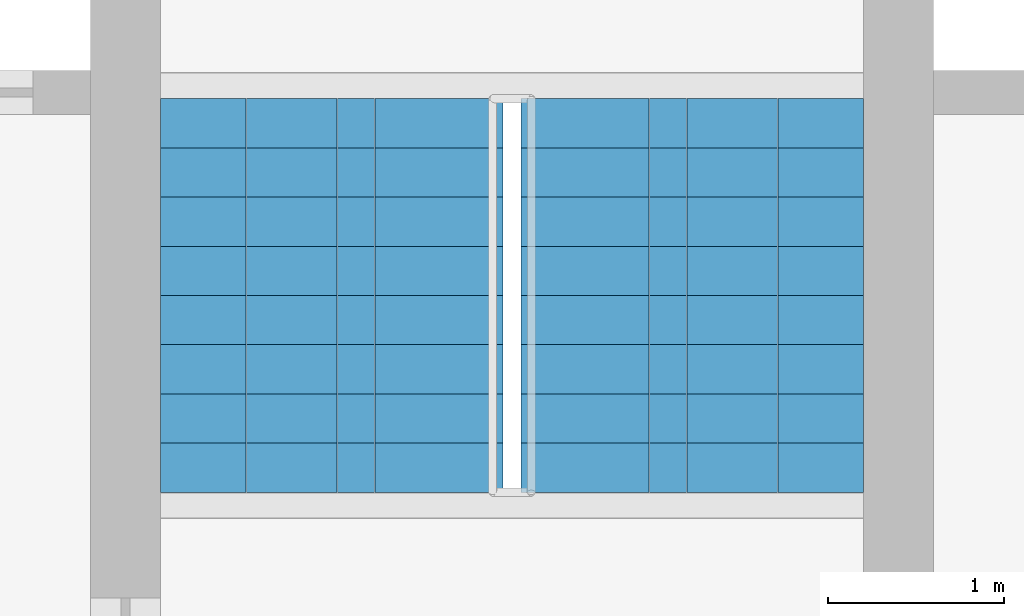
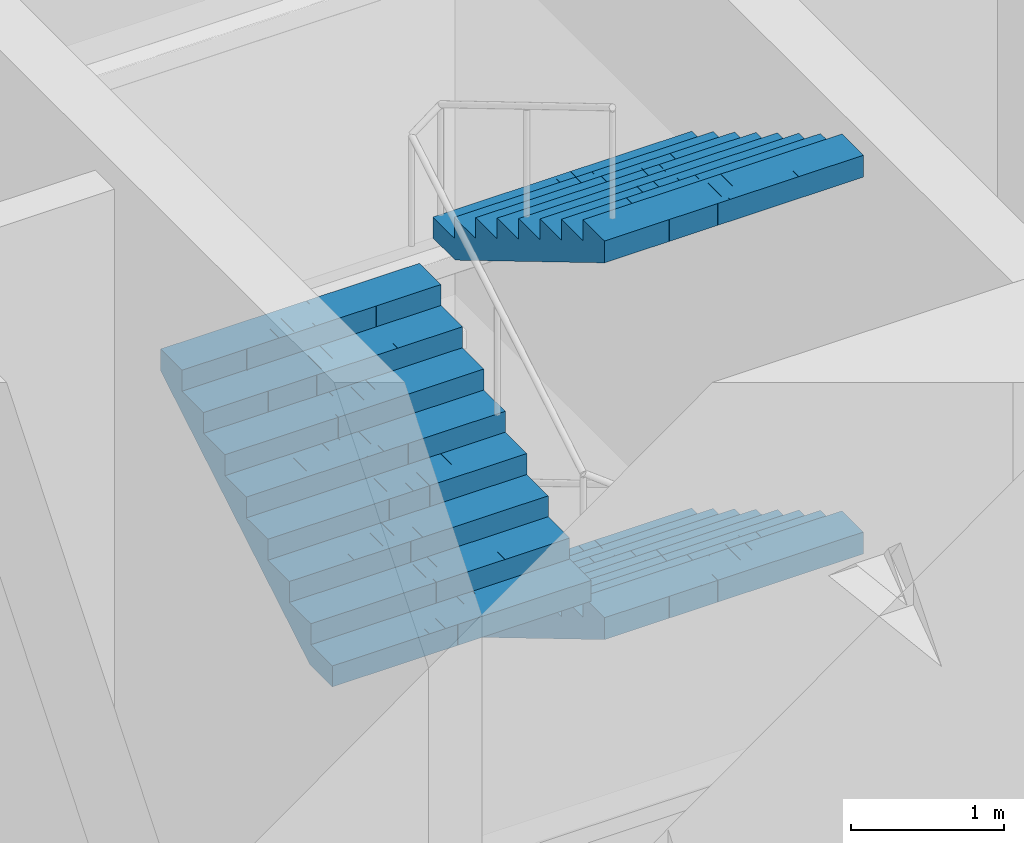
# One storey, part 16 of 19: 3 stair flights, 1 element without a shape of its own.
"""IFC4 building model written with IfcOpenShell, lengths in metres."""

from ifc_helpers import new_model, si_unit, direction, frame, origin, place, context, subcontext, project, spatial, polyline, outline, extrude, material, type_object, element, aggregate, save


model = new_model("IFC4")

# Units and contexts
model_context = context("Model", 3, precision=1e-05, world=origin(), true_north=direction((0.0, 1.0)))
body_context = subcontext(model_context, "Body", "Model", "MODEL_VIEW")
ifc_project = project(units=[si_unit("LENGTHUNIT", "METRE"), si_unit("AREAUNIT", "SQUARE_METRE"), si_unit("VOLUMEUNIT", "CUBIC_METRE"), si_unit("PLANEANGLEUNIT", "RADIAN"), si_unit("MASSUNIT", "GRAM", prefix="KILO")], contexts=[model_context])

# Site, building, storey
site_placement = place(None, origin())
site = spatial("IfcSite", under=ifc_project, at=site_placement, CompositionType="ELEMENT")
building_placement = place(site_placement, origin())
building = spatial("IfcBuilding", under=site, at=building_placement, Name="Mizan Broadcast Tower", CompositionType="ELEMENT")
storey_placement = place(building_placement, frame((0.0, 0.0, 37.5)))
storey = spatial("IfcBuildingStorey", under=building, at=storey_placement, Name="L06", CompositionType="ELEMENT", Elevation=37.5)

# Stair, stair flights
ifc_material_1 = material(Name="Concrete C40/50", Category="concrete")
stair_type = type_object("IfcStairType", Name="EXIT STAIR", PredefinedType="HALF_TURN_STAIR", material=ifc_material_1)
stair_placement = place(storey_placement, origin())
stair = element("IfcStair", 1, at=stair_placement, inside=storey, type_object=stair_type, Name="Stair A L06", PredefinedType="HALF_TURN_STAIR")
ifc_material_2 = material(Name="Concrete C40/50", Category="concrete")
stair_flight_type = type_object("IfcStairFlightType", Name="EXIT STAIR FLIGHT", PredefinedType="STRAIGHT", material=ifc_material_2)
stair_flight_1_placement = place(storey_placement, frame((1.02490234375, -5.659912109375, 1.5), z_axis=(0.0, 0.0, 1.0), x_axis=(0.0, -1.0, 0.0)))
stair_flight_1 = element("IfcStairFlight", 2, at=stair_flight_1_placement, type_object=stair_flight_type, Name="A flight 2", NumberOfRisers=9, NumberOfTreads=8, PredefinedType="STRAIGHT", RiserHeight=0.166666667, TreadLength=0.28, context=body_context, shape_type="SweptSolid", body=[
    extrude(outline(polyline([(0.0, 0.0), (0.0, 0.166748046875), (0.280029296875, 0.166748046875), (0.280029296875, 0.333251953125), (0.56005859375, 0.333251953125), (0.56005859375, 0.5), (0.840087890625, 0.5), (0.840087890625, 0.666748046875), (1.1201171875, 0.666748046875), (1.1201171875, 0.833251953125), (1.39990234375, 0.833251953125), (1.39990234375, 1.0), (1.679931640625, 1.0), (1.679931640625, 1.166748046875), (1.9599609375, 1.166748046875), (1.9599609375, 1.333251953125), (2.239990234375, 1.333251953125), (2.239990234375, 1.5), (2.239990234375, 1.158935546875), (0.29296875, 0.0), (0.0, 0.0)])), frame((0.0, 0.97509765625, 0.0), z_axis=(0.0, -1.0, 0.0), x_axis=(1.0, 0.0, 0.0)), (0.0, 0.0, 1.0), 0.4873046875),
    extrude(outline(polyline([(0.0, 0.0), (0.0, 0.166748046875), (0.280029296875, 0.166748046875), (0.280029296875, 0.333251953125), (0.56005859375, 0.333251953125), (0.56005859375, 0.5), (0.840087890625, 0.5), (0.840087890625, 0.666748046875), (1.1201171875, 0.666748046875), (1.1201171875, 0.833251953125), (1.39990234375, 0.833251953125), (1.39990234375, 1.0), (1.679931640625, 1.0), (1.679931640625, 1.166748046875), (1.9599609375, 1.166748046875), (1.9599609375, 1.333251953125), (2.239990234375, 1.333251953125), (2.239990234375, 1.5), (2.239990234375, 1.158935546875), (0.29296875, 0.0), (0.0, 0.0)])), frame((0.0, 0.4873046875, 0.0), z_axis=(0.0, -1.0, 0.0), x_axis=(1.0, 0.0, 0.0)), (0.0, 0.0, 1.0), 0.2431640625),
    extrude(outline(polyline([(0.0, 0.0), (0.0, 0.166748046875), (0.280029296875, 0.166748046875), (0.280029296875, 0.333251953125), (0.56005859375, 0.333251953125), (0.56005859375, 0.5), (0.840087890625, 0.5), (0.840087890625, 0.666748046875), (1.1201171875, 0.666748046875), (1.1201171875, 0.833251953125), (1.39990234375, 0.833251953125), (1.39990234375, 1.0), (1.679931640625, 1.0), (1.679931640625, 1.166748046875), (1.9599609375, 1.166748046875), (1.9599609375, 1.333251953125), (2.239990234375, 1.333251953125), (2.239990234375, 1.5), (2.239990234375, 1.158935546875), (0.29296875, 0.0), (0.0, 0.0)])), frame((0.0, 0.24365234375, 0.0), z_axis=(0.0, -1.0, 0.0), x_axis=(1.0, 0.0, 0.0)), (0.0, 0.0, 1.0), 0.121337890625),
    extrude(outline(polyline([(0.0, 0.0), (0.0, 0.166748046875), (0.280029296875, 0.166748046875), (0.280029296875, 0.333251953125), (0.56005859375, 0.333251953125), (0.56005859375, 0.5), (0.840087890625, 0.5), (0.840087890625, 0.666748046875), (1.1201171875, 0.666748046875), (1.1201171875, 0.833251953125), (1.39990234375, 0.833251953125), (1.39990234375, 1.0), (1.679931640625, 1.0), (1.679931640625, 1.166748046875), (1.9599609375, 1.166748046875), (1.9599609375, 1.333251953125), (2.239990234375, 1.333251953125), (2.239990234375, 1.5), (2.239990234375, 1.158935546875), (0.29296875, 0.0), (0.0, 0.0)])), frame((0.0, 0.121826171875, 0.0), z_axis=(0.0, -1.0, 0.0), x_axis=(1.0, 0.0, 0.0)), (0.0, 0.0, 1.0), 0.060546875),
    extrude(outline(polyline([(0.0, 0.0), (0.0, 0.166748046875), (0.280029296875, 0.166748046875), (0.280029296875, 0.333251953125), (0.56005859375, 0.333251953125), (0.56005859375, 0.5), (0.840087890625, 0.5), (0.840087890625, 0.666748046875), (1.1201171875, 0.666748046875), (1.1201171875, 0.833251953125), (1.39990234375, 0.833251953125), (1.39990234375, 1.0), (1.679931640625, 1.0), (1.679931640625, 1.166748046875), (1.9599609375, 1.166748046875), (1.9599609375, 1.333251953125), (2.239990234375, 1.333251953125), (2.239990234375, 1.5), (2.239990234375, 1.158935546875), (0.29296875, 0.0), (0.0, 0.0)])), frame((0.0, 0.060791015625, 0.0), z_axis=(0.0, -1.0, 0.0), x_axis=(1.0, 0.0, 0.0)), (0.0, 0.0, 1.0), 0.030029296875),
    extrude(outline(polyline([(0.0, 0.0), (0.0, 0.166748046875), (0.280029296875, 0.166748046875), (0.280029296875, 0.333251953125), (0.56005859375, 0.333251953125), (0.56005859375, 0.5), (0.840087890625, 0.5), (0.840087890625, 0.666748046875), (1.1201171875, 0.666748046875), (1.1201171875, 0.833251953125), (1.39990234375, 0.833251953125), (1.39990234375, 1.0), (1.679931640625, 1.0), (1.679931640625, 1.166748046875), (1.9599609375, 1.166748046875), (1.9599609375, 1.333251953125), (2.239990234375, 1.333251953125), (2.239990234375, 1.5), (2.239990234375, 1.158935546875), (0.29296875, 0.0), (0.0, 0.0)])), frame((0.0, 0.0302734375, 0.0), z_axis=(0.0, -1.0, 0.0), x_axis=(1.0, 0.0, 0.0)), (0.0, 0.0, 1.0), 0.060302734375),
    extrude(outline(polyline([(0.0, 0.0), (0.0, 0.166748046875), (0.280029296875, 0.166748046875), (0.280029296875, 0.333251953125), (0.56005859375, 0.333251953125), (0.56005859375, 0.5), (0.840087890625, 0.5), (0.840087890625, 0.666748046875), (1.1201171875, 0.666748046875), (1.1201171875, 0.833251953125), (1.39990234375, 0.833251953125), (1.39990234375, 1.0), (1.679931640625, 1.0), (1.679931640625, 1.166748046875), (1.9599609375, 1.166748046875), (1.9599609375, 1.333251953125), (2.239990234375, 1.333251953125), (2.239990234375, 1.5), (2.239990234375, 1.158935546875), (0.29296875, 0.0), (0.0, 0.0)])), frame((0.0, -0.030517578125, 0.0), z_axis=(0.0, -1.0, 0.0), x_axis=(1.0, 0.0, 0.0)), (0.0, 0.0, 1.0), 0.030029296875),
    extrude(outline(polyline([(0.0, 0.0), (0.0, 0.166748046875), (0.280029296875, 0.166748046875), (0.280029296875, 0.333251953125), (0.56005859375, 0.333251953125), (0.56005859375, 0.5), (0.840087890625, 0.5), (0.840087890625, 0.666748046875), (1.1201171875, 0.666748046875), (1.1201171875, 0.833251953125), (1.39990234375, 0.833251953125), (1.39990234375, 1.0), (1.679931640625, 1.0), (1.679931640625, 1.166748046875), (1.9599609375, 1.166748046875), (1.9599609375, 1.333251953125), (2.239990234375, 1.333251953125), (2.239990234375, 1.5), (2.239990234375, 1.158935546875), (0.29296875, 0.0), (0.0, 0.0)])), frame((0.0, -0.06103515625, 0.0), z_axis=(0.0, -1.0, 0.0), x_axis=(1.0, 0.0, 0.0)), (0.0, 0.0, 1.0), 0.060546875),
    extrude(outline(polyline([(0.0, 0.0), (0.0, 0.166748046875), (0.280029296875, 0.166748046875), (0.280029296875, 0.333251953125), (0.56005859375, 0.333251953125), (0.56005859375, 0.5), (0.840087890625, 0.5), (0.840087890625, 0.666748046875), (1.1201171875, 0.666748046875), (1.1201171875, 0.833251953125), (1.39990234375, 0.833251953125), (1.39990234375, 1.0), (1.679931640625, 1.0), (1.679931640625, 1.166748046875), (1.9599609375, 1.166748046875), (1.9599609375, 1.333251953125), (2.239990234375, 1.333251953125), (2.239990234375, 1.5), (2.239990234375, 1.158935546875), (0.29296875, 0.0), (0.0, 0.0)])), frame((0.0, -0.1220703125, 0.0), z_axis=(0.0, -1.0, 0.0), x_axis=(1.0, 0.0, 0.0)), (0.0, 0.0, 1.0), 0.121337890625),
    extrude(outline(polyline([(0.0, 0.0), (0.0, 0.166748046875), (0.280029296875, 0.166748046875), (0.280029296875, 0.333251953125), (0.56005859375, 0.333251953125), (0.56005859375, 0.5), (0.840087890625, 0.5), (0.840087890625, 0.666748046875), (1.1201171875, 0.666748046875), (1.1201171875, 0.833251953125), (1.39990234375, 0.833251953125), (1.39990234375, 1.0), (1.679931640625, 1.0), (1.679931640625, 1.166748046875), (1.9599609375, 1.166748046875), (1.9599609375, 1.333251953125), (2.239990234375, 1.333251953125), (2.239990234375, 1.5), (2.239990234375, 1.158935546875), (0.29296875, 0.0), (0.0, 0.0)])), frame((0.0, -0.243896484375, 0.0), z_axis=(0.0, -1.0, 0.0), x_axis=(1.0, 0.0, 0.0)), (0.0, 0.0, 1.0), 0.2431640625),
    extrude(outline(polyline([(0.0, 0.0), (0.0, 0.166748046875), (0.280029296875, 0.166748046875), (0.280029296875, 0.333251953125), (0.56005859375, 0.333251953125), (0.56005859375, 0.5), (0.840087890625, 0.5), (0.840087890625, 0.666748046875), (1.1201171875, 0.666748046875), (1.1201171875, 0.833251953125), (1.39990234375, 0.833251953125), (1.39990234375, 1.0), (1.679931640625, 1.0), (1.679931640625, 1.166748046875), (1.9599609375, 1.166748046875), (1.9599609375, 1.333251953125), (2.239990234375, 1.333251953125), (2.239990234375, 1.5), (2.239990234375, 1.158935546875), (0.29296875, 0.0), (0.0, 0.0)])), frame((0.0, -0.487548828125, 0.0), z_axis=(0.0, -1.0, 0.0), x_axis=(1.0, 0.0, 0.0)), (0.0, 0.0, 1.0), 0.4873046875),
])
stair_flight_2_placement = place(storey_placement, frame((-1.02490234375, -7.89990234375, 3.0), z_axis=(0.0, 0.0, 1.0), x_axis=(0.0, 1.0, 0.0)))
stair_flight_2 = element("IfcStairFlight", 3, at=stair_flight_2_placement, type_object=stair_flight_type, Name="A flight 3", NumberOfRisers=9, NumberOfTreads=8, PredefinedType="STRAIGHT", RiserHeight=0.166666667, TreadLength=0.28, context=body_context, shape_type="SweptSolid", body=[
    extrude(outline(polyline([(0.0, 0.0), (0.0, 0.166748046875), (0.280029296875, 0.166748046875), (0.280029296875, 0.333251953125), (0.56005859375, 0.333251953125), (0.56005859375, 0.5), (0.840087890625, 0.5), (0.840087890625, 0.666748046875), (1.1201171875, 0.666748046875), (1.1201171875, 0.833251953125), (1.39990234375, 0.833251953125), (1.39990234375, 1.0), (1.679931640625, 1.0), (1.679931640625, 1.166748046875), (1.9599609375, 1.166748046875), (1.9599609375, 1.333251953125), (2.239990234375, 1.333251953125), (2.239990234375, 1.5), (2.239990234375, 1.158935546875), (0.29296875, 0.0), (0.0, 0.0)])), frame((0.0, 0.97509765625, 0.0), z_axis=(0.0, -1.0, 0.0), x_axis=(1.0, 0.0, 0.0)), (0.0, 0.0, 1.0), 0.4873046875),
    extrude(outline(polyline([(0.0, 0.0), (0.0, 0.166748046875), (0.280029296875, 0.166748046875), (0.280029296875, 0.333251953125), (0.56005859375, 0.333251953125), (0.56005859375, 0.5), (0.840087890625, 0.5), (0.840087890625, 0.666748046875), (1.1201171875, 0.666748046875), (1.1201171875, 0.833251953125), (1.39990234375, 0.833251953125), (1.39990234375, 1.0), (1.679931640625, 1.0), (1.679931640625, 1.166748046875), (1.9599609375, 1.166748046875), (1.9599609375, 1.333251953125), (2.239990234375, 1.333251953125), (2.239990234375, 1.5), (2.239990234375, 1.158935546875), (0.29296875, 0.0), (0.0, 0.0)])), frame((0.0, 0.4873046875, 0.0), z_axis=(0.0, -1.0, 0.0), x_axis=(1.0, 0.0, 0.0)), (0.0, 0.0, 1.0), 0.2431640625),
    extrude(outline(polyline([(0.0, 0.0), (0.0, 0.166748046875), (0.280029296875, 0.166748046875), (0.280029296875, 0.333251953125), (0.56005859375, 0.333251953125), (0.56005859375, 0.5), (0.840087890625, 0.5), (0.840087890625, 0.666748046875), (1.1201171875, 0.666748046875), (1.1201171875, 0.833251953125), (1.39990234375, 0.833251953125), (1.39990234375, 1.0), (1.679931640625, 1.0), (1.679931640625, 1.166748046875), (1.9599609375, 1.166748046875), (1.9599609375, 1.333251953125), (2.239990234375, 1.333251953125), (2.239990234375, 1.5), (2.239990234375, 1.158935546875), (0.29296875, 0.0), (0.0, 0.0)])), frame((0.0, 0.24365234375, 0.0), z_axis=(0.0, -1.0, 0.0), x_axis=(1.0, 0.0, 0.0)), (0.0, 0.0, 1.0), 0.121337890625),
    extrude(outline(polyline([(0.0, 0.0), (0.0, 0.166748046875), (0.280029296875, 0.166748046875), (0.280029296875, 0.333251953125), (0.56005859375, 0.333251953125), (0.56005859375, 0.5), (0.840087890625, 0.5), (0.840087890625, 0.666748046875), (1.1201171875, 0.666748046875), (1.1201171875, 0.833251953125), (1.39990234375, 0.833251953125), (1.39990234375, 1.0), (1.679931640625, 1.0), (1.679931640625, 1.166748046875), (1.9599609375, 1.166748046875), (1.9599609375, 1.333251953125), (2.239990234375, 1.333251953125), (2.239990234375, 1.5), (2.239990234375, 1.158935546875), (0.29296875, 0.0), (0.0, 0.0)])), frame((0.0, 0.121826171875, 0.0), z_axis=(0.0, -1.0, 0.0), x_axis=(1.0, 0.0, 0.0)), (0.0, 0.0, 1.0), 0.060546875),
    extrude(outline(polyline([(0.0, 0.0), (0.0, 0.166748046875), (0.280029296875, 0.166748046875), (0.280029296875, 0.333251953125), (0.56005859375, 0.333251953125), (0.56005859375, 0.5), (0.840087890625, 0.5), (0.840087890625, 0.666748046875), (1.1201171875, 0.666748046875), (1.1201171875, 0.833251953125), (1.39990234375, 0.833251953125), (1.39990234375, 1.0), (1.679931640625, 1.0), (1.679931640625, 1.166748046875), (1.9599609375, 1.166748046875), (1.9599609375, 1.333251953125), (2.239990234375, 1.333251953125), (2.239990234375, 1.5), (2.239990234375, 1.158935546875), (0.29296875, 0.0), (0.0, 0.0)])), frame((0.0, 0.060791015625, 0.0), z_axis=(0.0, -1.0, 0.0), x_axis=(1.0, 0.0, 0.0)), (0.0, 0.0, 1.0), 0.030029296875),
    extrude(outline(polyline([(0.0, 0.0), (0.0, 0.166748046875), (0.280029296875, 0.166748046875), (0.280029296875, 0.333251953125), (0.56005859375, 0.333251953125), (0.56005859375, 0.5), (0.840087890625, 0.5), (0.840087890625, 0.666748046875), (1.1201171875, 0.666748046875), (1.1201171875, 0.833251953125), (1.39990234375, 0.833251953125), (1.39990234375, 1.0), (1.679931640625, 1.0), (1.679931640625, 1.166748046875), (1.9599609375, 1.166748046875), (1.9599609375, 1.333251953125), (2.239990234375, 1.333251953125), (2.239990234375, 1.5), (2.239990234375, 1.158935546875), (0.29296875, 0.0), (0.0, 0.0)])), frame((0.0, 0.0302734375, 0.0), z_axis=(0.0, -1.0, 0.0), x_axis=(1.0, 0.0, 0.0)), (0.0, 0.0, 1.0), 0.060302734375),
    extrude(outline(polyline([(0.0, 0.0), (0.0, 0.166748046875), (0.280029296875, 0.166748046875), (0.280029296875, 0.333251953125), (0.56005859375, 0.333251953125), (0.56005859375, 0.5), (0.840087890625, 0.5), (0.840087890625, 0.666748046875), (1.1201171875, 0.666748046875), (1.1201171875, 0.833251953125), (1.39990234375, 0.833251953125), (1.39990234375, 1.0), (1.679931640625, 1.0), (1.679931640625, 1.166748046875), (1.9599609375, 1.166748046875), (1.9599609375, 1.333251953125), (2.239990234375, 1.333251953125), (2.239990234375, 1.5), (2.239990234375, 1.158935546875), (0.29296875, 0.0), (0.0, 0.0)])), frame((0.0, -0.030517578125, 0.0), z_axis=(0.0, -1.0, 0.0), x_axis=(1.0, 0.0, 0.0)), (0.0, 0.0, 1.0), 0.030029296875),
    extrude(outline(polyline([(0.0, 0.0), (0.0, 0.166748046875), (0.280029296875, 0.166748046875), (0.280029296875, 0.333251953125), (0.56005859375, 0.333251953125), (0.56005859375, 0.5), (0.840087890625, 0.5), (0.840087890625, 0.666748046875), (1.1201171875, 0.666748046875), (1.1201171875, 0.833251953125), (1.39990234375, 0.833251953125), (1.39990234375, 1.0), (1.679931640625, 1.0), (1.679931640625, 1.166748046875), (1.9599609375, 1.166748046875), (1.9599609375, 1.333251953125), (2.239990234375, 1.333251953125), (2.239990234375, 1.5), (2.239990234375, 1.158935546875), (0.29296875, 0.0), (0.0, 0.0)])), frame((0.0, -0.06103515625, 0.0), z_axis=(0.0, -1.0, 0.0), x_axis=(1.0, 0.0, 0.0)), (0.0, 0.0, 1.0), 0.060546875),
    extrude(outline(polyline([(0.0, 0.0), (0.0, 0.166748046875), (0.280029296875, 0.166748046875), (0.280029296875, 0.333251953125), (0.56005859375, 0.333251953125), (0.56005859375, 0.5), (0.840087890625, 0.5), (0.840087890625, 0.666748046875), (1.1201171875, 0.666748046875), (1.1201171875, 0.833251953125), (1.39990234375, 0.833251953125), (1.39990234375, 1.0), (1.679931640625, 1.0), (1.679931640625, 1.166748046875), (1.9599609375, 1.166748046875), (1.9599609375, 1.333251953125), (2.239990234375, 1.333251953125), (2.239990234375, 1.5), (2.239990234375, 1.158935546875), (0.29296875, 0.0), (0.0, 0.0)])), frame((0.0, -0.1220703125, 0.0), z_axis=(0.0, -1.0, 0.0), x_axis=(1.0, 0.0, 0.0)), (0.0, 0.0, 1.0), 0.121337890625),
    extrude(outline(polyline([(0.0, 0.0), (0.0, 0.166748046875), (0.280029296875, 0.166748046875), (0.280029296875, 0.333251953125), (0.56005859375, 0.333251953125), (0.56005859375, 0.5), (0.840087890625, 0.5), (0.840087890625, 0.666748046875), (1.1201171875, 0.666748046875), (1.1201171875, 0.833251953125), (1.39990234375, 0.833251953125), (1.39990234375, 1.0), (1.679931640625, 1.0), (1.679931640625, 1.166748046875), (1.9599609375, 1.166748046875), (1.9599609375, 1.333251953125), (2.239990234375, 1.333251953125), (2.239990234375, 1.5), (2.239990234375, 1.158935546875), (0.29296875, 0.0), (0.0, 0.0)])), frame((0.0, -0.243896484375, 0.0), z_axis=(0.0, -1.0, 0.0), x_axis=(1.0, 0.0, 0.0)), (0.0, 0.0, 1.0), 0.2431640625),
    extrude(outline(polyline([(0.0, 0.0), (0.0, 0.166748046875), (0.280029296875, 0.166748046875), (0.280029296875, 0.333251953125), (0.56005859375, 0.333251953125), (0.56005859375, 0.5), (0.840087890625, 0.5), (0.840087890625, 0.666748046875), (1.1201171875, 0.666748046875), (1.1201171875, 0.833251953125), (1.39990234375, 0.833251953125), (1.39990234375, 1.0), (1.679931640625, 1.0), (1.679931640625, 1.166748046875), (1.9599609375, 1.166748046875), (1.9599609375, 1.333251953125), (2.239990234375, 1.333251953125), (2.239990234375, 1.5), (2.239990234375, 1.158935546875), (0.29296875, 0.0), (0.0, 0.0)])), frame((0.0, -0.487548828125, 0.0), z_axis=(0.0, -1.0, 0.0), x_axis=(1.0, 0.0, 0.0)), (0.0, 0.0, 1.0), 0.4873046875),
])
stair_flight_3_placement = place(storey_placement, frame((1.02490234375, -5.659912109375, 4.5), z_axis=(0.0, 0.0, 1.0), x_axis=(0.0, -1.0, 0.0)))
stair_flight_3 = element("IfcStairFlight", 4, at=stair_flight_3_placement, type_object=stair_flight_type, Name="A flight 4", NumberOfRisers=9, NumberOfTreads=8, PredefinedType="STRAIGHT", RiserHeight=0.166666667, TreadLength=0.28, context=body_context, shape_type="SweptSolid", body=[
    extrude(outline(polyline([(0.0, 0.0), (0.0, 0.166748046875), (0.280029296875, 0.166748046875), (0.280029296875, 0.333251953125), (0.56005859375, 0.333251953125), (0.56005859375, 0.5), (0.840087890625, 0.5), (0.840087890625, 0.666748046875), (1.1201171875, 0.666748046875), (1.1201171875, 0.833251953125), (1.39990234375, 0.833251953125), (1.39990234375, 1.0), (1.679931640625, 1.0), (1.679931640625, 1.166748046875), (1.9599609375, 1.166748046875), (1.9599609375, 1.333251953125), (2.239990234375, 1.333251953125), (2.239990234375, 1.5), (2.239990234375, 1.158935546875), (0.29296875, 0.0), (0.0, 0.0)])), frame((0.0, 0.97509765625, 0.0), z_axis=(0.0, -1.0, 0.0), x_axis=(1.0, 0.0, 0.0)), (0.0, 0.0, 1.0), 0.4873046875),
    extrude(outline(polyline([(0.0, 0.0), (0.0, 0.166748046875), (0.280029296875, 0.166748046875), (0.280029296875, 0.333251953125), (0.56005859375, 0.333251953125), (0.56005859375, 0.5), (0.840087890625, 0.5), (0.840087890625, 0.666748046875), (1.1201171875, 0.666748046875), (1.1201171875, 0.833251953125), (1.39990234375, 0.833251953125), (1.39990234375, 1.0), (1.679931640625, 1.0), (1.679931640625, 1.166748046875), (1.9599609375, 1.166748046875), (1.9599609375, 1.333251953125), (2.239990234375, 1.333251953125), (2.239990234375, 1.5), (2.239990234375, 1.158935546875), (0.29296875, 0.0), (0.0, 0.0)])), frame((0.0, 0.4873046875, 0.0), z_axis=(0.0, -1.0, 0.0), x_axis=(1.0, 0.0, 0.0)), (0.0, 0.0, 1.0), 0.2431640625),
    extrude(outline(polyline([(0.0, 0.0), (0.0, 0.166748046875), (0.280029296875, 0.166748046875), (0.280029296875, 0.333251953125), (0.56005859375, 0.333251953125), (0.56005859375, 0.5), (0.840087890625, 0.5), (0.840087890625, 0.666748046875), (1.1201171875, 0.666748046875), (1.1201171875, 0.833251953125), (1.39990234375, 0.833251953125), (1.39990234375, 1.0), (1.679931640625, 1.0), (1.679931640625, 1.166748046875), (1.9599609375, 1.166748046875), (1.9599609375, 1.333251953125), (2.239990234375, 1.333251953125), (2.239990234375, 1.5), (2.239990234375, 1.158935546875), (0.29296875, 0.0), (0.0, 0.0)])), frame((0.0, 0.24365234375, 0.0), z_axis=(0.0, -1.0, 0.0), x_axis=(1.0, 0.0, 0.0)), (0.0, 0.0, 1.0), 0.121337890625),
    extrude(outline(polyline([(0.0, 0.0), (0.0, 0.166748046875), (0.280029296875, 0.166748046875), (0.280029296875, 0.333251953125), (0.56005859375, 0.333251953125), (0.56005859375, 0.5), (0.840087890625, 0.5), (0.840087890625, 0.666748046875), (1.1201171875, 0.666748046875), (1.1201171875, 0.833251953125), (1.39990234375, 0.833251953125), (1.39990234375, 1.0), (1.679931640625, 1.0), (1.679931640625, 1.166748046875), (1.9599609375, 1.166748046875), (1.9599609375, 1.333251953125), (2.239990234375, 1.333251953125), (2.239990234375, 1.5), (2.239990234375, 1.158935546875), (0.29296875, 0.0), (0.0, 0.0)])), frame((0.0, 0.121826171875, 0.0), z_axis=(0.0, -1.0, 0.0), x_axis=(1.0, 0.0, 0.0)), (0.0, 0.0, 1.0), 0.060546875),
    extrude(outline(polyline([(0.0, 0.0), (0.0, 0.166748046875), (0.280029296875, 0.166748046875), (0.280029296875, 0.333251953125), (0.56005859375, 0.333251953125), (0.56005859375, 0.5), (0.840087890625, 0.5), (0.840087890625, 0.666748046875), (1.1201171875, 0.666748046875), (1.1201171875, 0.833251953125), (1.39990234375, 0.833251953125), (1.39990234375, 1.0), (1.679931640625, 1.0), (1.679931640625, 1.166748046875), (1.9599609375, 1.166748046875), (1.9599609375, 1.333251953125), (2.239990234375, 1.333251953125), (2.239990234375, 1.5), (2.239990234375, 1.158935546875), (0.29296875, 0.0), (0.0, 0.0)])), frame((0.0, 0.060791015625, 0.0), z_axis=(0.0, -1.0, 0.0), x_axis=(1.0, 0.0, 0.0)), (0.0, 0.0, 1.0), 0.030029296875),
    extrude(outline(polyline([(0.0, 0.0), (0.0, 0.166748046875), (0.280029296875, 0.166748046875), (0.280029296875, 0.333251953125), (0.56005859375, 0.333251953125), (0.56005859375, 0.5), (0.840087890625, 0.5), (0.840087890625, 0.666748046875), (1.1201171875, 0.666748046875), (1.1201171875, 0.833251953125), (1.39990234375, 0.833251953125), (1.39990234375, 1.0), (1.679931640625, 1.0), (1.679931640625, 1.166748046875), (1.9599609375, 1.166748046875), (1.9599609375, 1.333251953125), (2.239990234375, 1.333251953125), (2.239990234375, 1.5), (2.239990234375, 1.158935546875), (0.29296875, 0.0), (0.0, 0.0)])), frame((0.0, 0.0302734375, 0.0), z_axis=(0.0, -1.0, 0.0), x_axis=(1.0, 0.0, 0.0)), (0.0, 0.0, 1.0), 0.060302734375),
    extrude(outline(polyline([(0.0, 0.0), (0.0, 0.166748046875), (0.280029296875, 0.166748046875), (0.280029296875, 0.333251953125), (0.56005859375, 0.333251953125), (0.56005859375, 0.5), (0.840087890625, 0.5), (0.840087890625, 0.666748046875), (1.1201171875, 0.666748046875), (1.1201171875, 0.833251953125), (1.39990234375, 0.833251953125), (1.39990234375, 1.0), (1.679931640625, 1.0), (1.679931640625, 1.166748046875), (1.9599609375, 1.166748046875), (1.9599609375, 1.333251953125), (2.239990234375, 1.333251953125), (2.239990234375, 1.5), (2.239990234375, 1.158935546875), (0.29296875, 0.0), (0.0, 0.0)])), frame((0.0, -0.030517578125, 0.0), z_axis=(0.0, -1.0, 0.0), x_axis=(1.0, 0.0, 0.0)), (0.0, 0.0, 1.0), 0.030029296875),
    extrude(outline(polyline([(0.0, 0.0), (0.0, 0.166748046875), (0.280029296875, 0.166748046875), (0.280029296875, 0.333251953125), (0.56005859375, 0.333251953125), (0.56005859375, 0.5), (0.840087890625, 0.5), (0.840087890625, 0.666748046875), (1.1201171875, 0.666748046875), (1.1201171875, 0.833251953125), (1.39990234375, 0.833251953125), (1.39990234375, 1.0), (1.679931640625, 1.0), (1.679931640625, 1.166748046875), (1.9599609375, 1.166748046875), (1.9599609375, 1.333251953125), (2.239990234375, 1.333251953125), (2.239990234375, 1.5), (2.239990234375, 1.158935546875), (0.29296875, 0.0), (0.0, 0.0)])), frame((0.0, -0.06103515625, 0.0), z_axis=(0.0, -1.0, 0.0), x_axis=(1.0, 0.0, 0.0)), (0.0, 0.0, 1.0), 0.060546875),
    extrude(outline(polyline([(0.0, 0.0), (0.0, 0.166748046875), (0.280029296875, 0.166748046875), (0.280029296875, 0.333251953125), (0.56005859375, 0.333251953125), (0.56005859375, 0.5), (0.840087890625, 0.5), (0.840087890625, 0.666748046875), (1.1201171875, 0.666748046875), (1.1201171875, 0.833251953125), (1.39990234375, 0.833251953125), (1.39990234375, 1.0), (1.679931640625, 1.0), (1.679931640625, 1.166748046875), (1.9599609375, 1.166748046875), (1.9599609375, 1.333251953125), (2.239990234375, 1.333251953125), (2.239990234375, 1.5), (2.239990234375, 1.158935546875), (0.29296875, 0.0), (0.0, 0.0)])), frame((0.0, -0.1220703125, 0.0), z_axis=(0.0, -1.0, 0.0), x_axis=(1.0, 0.0, 0.0)), (0.0, 0.0, 1.0), 0.121337890625),
    extrude(outline(polyline([(0.0, 0.0), (0.0, 0.166748046875), (0.280029296875, 0.166748046875), (0.280029296875, 0.333251953125), (0.56005859375, 0.333251953125), (0.56005859375, 0.5), (0.840087890625, 0.5), (0.840087890625, 0.666748046875), (1.1201171875, 0.666748046875), (1.1201171875, 0.833251953125), (1.39990234375, 0.833251953125), (1.39990234375, 1.0), (1.679931640625, 1.0), (1.679931640625, 1.166748046875), (1.9599609375, 1.166748046875), (1.9599609375, 1.333251953125), (2.239990234375, 1.333251953125), (2.239990234375, 1.5), (2.239990234375, 1.158935546875), (0.29296875, 0.0), (0.0, 0.0)])), frame((0.0, -0.243896484375, 0.0), z_axis=(0.0, -1.0, 0.0), x_axis=(1.0, 0.0, 0.0)), (0.0, 0.0, 1.0), 0.2431640625),
    extrude(outline(polyline([(0.0, 0.0), (0.0, 0.166748046875), (0.280029296875, 0.166748046875), (0.280029296875, 0.333251953125), (0.56005859375, 0.333251953125), (0.56005859375, 0.5), (0.840087890625, 0.5), (0.840087890625, 0.666748046875), (1.1201171875, 0.666748046875), (1.1201171875, 0.833251953125), (1.39990234375, 0.833251953125), (1.39990234375, 1.0), (1.679931640625, 1.0), (1.679931640625, 1.166748046875), (1.9599609375, 1.166748046875), (1.9599609375, 1.333251953125), (2.239990234375, 1.333251953125), (2.239990234375, 1.5), (2.239990234375, 1.158935546875), (0.29296875, 0.0), (0.0, 0.0)])), frame((0.0, -0.487548828125, 0.0), z_axis=(0.0, -1.0, 0.0), x_axis=(1.0, 0.0, 0.0)), (0.0, 0.0, 1.0), 0.4873046875),
])
aggregate(stair, [stair_flight_1, stair_flight_2, stair_flight_3])

save(model, "model.ifc")
